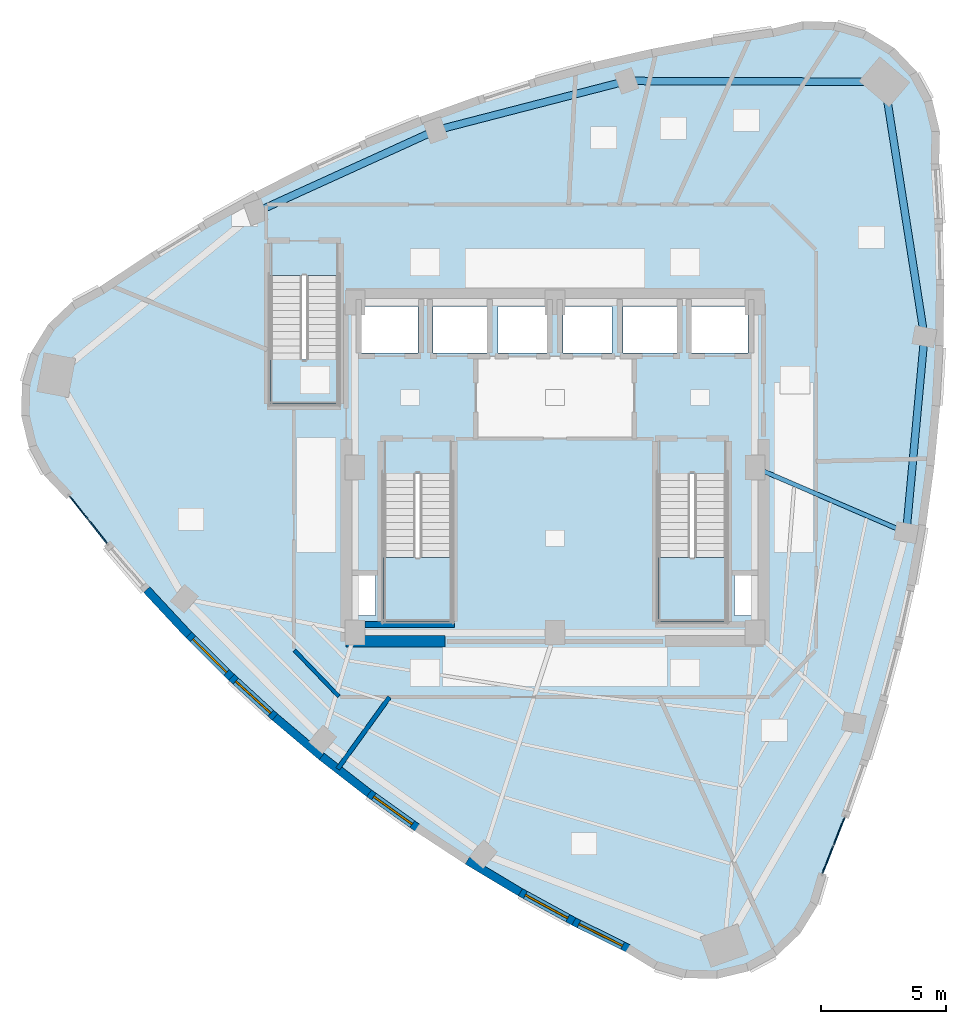
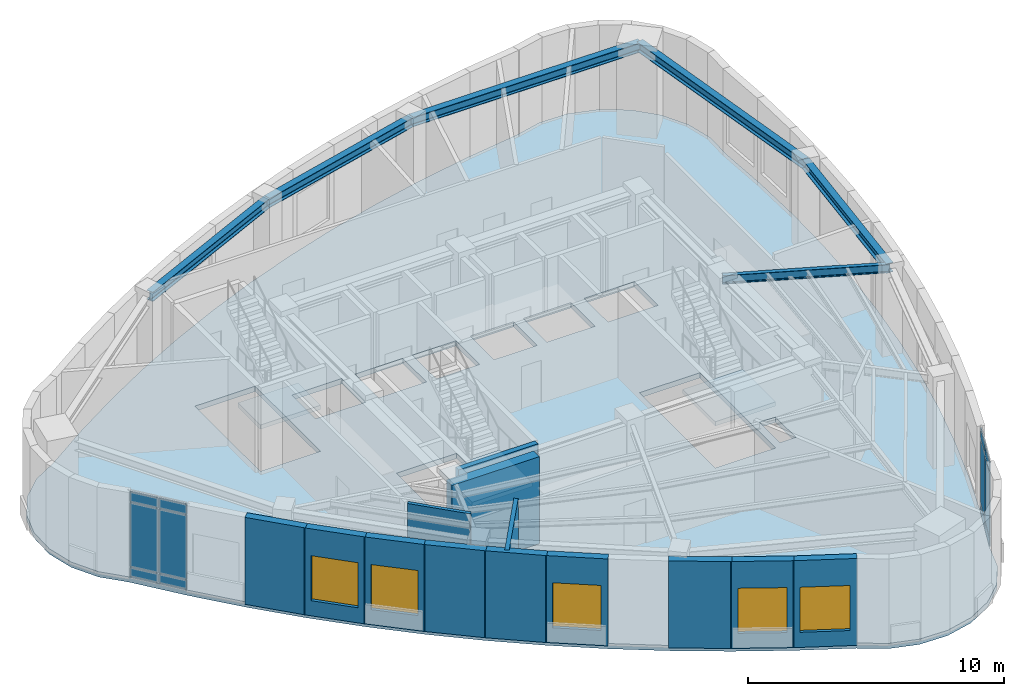
# One storey, part 7 of 13: 13 walls, 12 plates, 6 beams, 5 windows, 4 slabs, 5 openings, 5 elements without a shape of their own.
"""IFC4 building model written with IfcOpenShell, lengths in metres."""

from ifc_helpers import new_model, si_unit, direction, frame, frame_2d, origin, origin_2d, place, context, subcontext, project, spatial, polyline, rectangle, i_section, outline, extrude, material, layer, layer_set, material_profile, profile_set, type_object, element, fill, aggregate, save


model = new_model("IFC4")

# Units and contexts
model_context = context("Model", 3, precision=1e-05, world=origin(), true_north=direction((0.0, 1.0)))
body_context = subcontext(model_context, "Body", "Model", "MODEL_VIEW")
ifc_project = project(units=[si_unit("LENGTHUNIT", "METRE"), si_unit("AREAUNIT", "SQUARE_METRE"), si_unit("VOLUMEUNIT", "CUBIC_METRE"), si_unit("PLANEANGLEUNIT", "RADIAN"), si_unit("MASSUNIT", "GRAM", prefix="KILO")], contexts=[model_context])

# Site, building, storey
site_placement = place(None, origin())
site = spatial("IfcSite", under=ifc_project, at=site_placement, CompositionType="ELEMENT")
building_placement = place(site_placement, origin())
building = spatial("IfcBuilding", under=site, at=building_placement, Name="Ndelora Gate Hotel", CompositionType="ELEMENT")
storey_placement = place(building_placement, frame((0.0, 0.0, 272.800048828125)))
storey = spatial("IfcBuildingStorey", under=building, at=storey_placement, Name="L68", CompositionType="ELEMENT", Elevation=272.800048828125)

# Beams
ifc_material_1 = material(Name="Steel S355", Category="steel")
ifc_material_profile_1 = material_profile(ifc_material_1, i_section(OverallWidth=0.179931640625, OverallDepth=0.39990234375, WebThickness=0.008544921875, FlangeThickness=0.013427734375, FilletRadius=0.02099609375, at=origin_2d()), Name="IPE 400")
ifc_profile_set_1 = profile_set([ifc_material_profile_1], Name="Steel S355")
beam_type_1 = type_object("IfcBeamType", Name="BM-RAD-400", PredefinedType="BEAM", material=ifc_profile_set_1)
beam_1_placement = place(storey_placement, frame((8.0, 0.0, 3.949951171875), z_axis=(0.918526539717, -0.395359324964, 0.0), x_axis=(0.395359324964, 0.918526539717, 0.0)))
element("IfcBeam", 1, at=beam_1_placement, inside=storey, type_object=beam_type_1, Name="L68 Radial Floor Girder 7", PredefinedType="BEAM", context=body_context, shape_type="SweptSolid", body=[
    extrude(i_section(OverallWidth=0.179931640625, OverallDepth=0.39990234375, WebThickness=0.008544921875, FlangeThickness=0.013427734375, FilletRadius=0.02099609375, at=origin_2d()), origin(), (0.0, 0.0, 1.0), 6.58642578125),
])
ifc_material_profile_2 = material_profile(ifc_material_1, i_section(OverallWidth=0.300048828125, OverallDepth=0.449951171875, WebThickness=0.013916015625, FlangeThickness=0.02587890625, FilletRadius=0.027099609375, at=origin_2d()), Name="HEB 450")
ifc_profile_set_2 = profile_set([ifc_material_profile_2], Name="Steel S355")
beam_type_2 = type_object("IfcBeamType", Name="BM-RING-450", PredefinedType="SPANDREL", material=ifc_profile_set_2)
beam_2_placement = place(storey_placement, frame((14.0498046875, -2.60400390625, 3.925048828125), z_axis=(0.092138400608, 0.995746210203, 0.0), x_axis=(-0.995746210203, 0.092138400608, 0.0)))
element("IfcBeam", 2, at=beam_2_placement, inside=storey, type_object=beam_type_2, Name="L68 Perimeter Spandrel Girder 7", PredefinedType="SPANDREL", context=body_context, shape_type="SweptSolid", body=[
    extrude(i_section(OverallWidth=0.300048828125, OverallDepth=0.449951171875, WebThickness=0.013916015625, FlangeThickness=0.02587890625, FilletRadius=0.027099609375, at=origin_2d()), origin(), (0.0, 0.0, 1.0), 7.86962890625),
])
beam_3_placement = place(storey_placement, frame((14.77490234375, 5.232177734375, 3.925048828125), z_axis=(-0.154824264006, 0.987942026272, 0.0), x_axis=(-0.987942026272, -0.154824264006, 0.0)))
element("IfcBeam", 3, at=beam_3_placement, inside=storey, type_object=beam_type_2, Name="L68 Perimeter Spandrel Girder 8", PredefinedType="SPANDREL", context=body_context, shape_type="SweptSolid", body=[
    extrude(i_section(OverallWidth=0.300048828125, OverallDepth=0.449951171875, WebThickness=0.013916015625, FlangeThickness=0.02587890625, FilletRadius=0.027099609375, at=origin_2d()), origin(), (0.0, 0.0, 1.0), 10.32080078125),
])
beam_4_placement = place(storey_placement, frame((13.177001953125, 15.428466796875, 3.925048828125), z_axis=(-0.999994967187, 0.003172632958, 0.0), x_axis=(-0.003172632958, -0.999994967187, 0.0)))
element("IfcBeam", 4, at=beam_4_placement, inside=storey, type_object=beam_type_2, Name="L68 Perimeter Spandrel Girder 9", PredefinedType="SPANDREL", context=body_context, shape_type="SweptSolid", body=[
    extrude(i_section(OverallWidth=0.300048828125, OverallDepth=0.449951171875, WebThickness=0.013916015625, FlangeThickness=0.02587890625, FilletRadius=0.027099609375, at=origin_2d()), origin(), (0.0, 0.0, 1.0), 10.3115234375),
])
for number, where, z_axis, x_axis, name in (
    (5, (2.865478515625, 15.461181640625, 3.925048828125), (-0.968064499617, -0.250701265615, 0.0), (0.250701265615, -0.968064499617, 0.0), "L68 Perimeter Spandrel Girder 10"),
    (6, (-4.7744140625, 13.482666015625, 3.925048828125), (-0.910089762217, -0.414411178309, 0.0), (0.414411178309, -0.910089762217, 0.0), "L68 Perimeter Spandrel Girder 11"),
):
    element("IfcBeam", number, at=place(storey_placement, frame(where, z_axis=z_axis, x_axis=x_axis)), inside=storey, type_object=beam_type_2, Name=name, PredefinedType="SPANDREL", context=body_context, shape_type="SweptSolid", body=[
        extrude(i_section(OverallWidth=0.300048828125, OverallDepth=0.449951171875, WebThickness=0.013916015625, FlangeThickness=0.02587890625, FilletRadius=0.027099609375, at=origin_2d()), origin(), (0.0, 0.0, 1.0), 7.891845703125),
    ])

# Curtain wall, plates
ifc_material_2 = material(Name="Bronze Anodised Unitised Aluminium and Low-E Glass", Category="aluminium")
ifc_layer_1 = layer(ifc_material_2, 0.219970703125)
ifc_layer_set_1 = layer_set([ifc_layer_1], Name="Bronze Anodised Unitised Aluminium and Low-E Glass")
curtain_wall_type = type_object("IfcCurtainWallType", Name="CW-SYS-6", PredefinedType="NOTDEFINED", material=ifc_layer_set_1)
curtain_wall_1_placement = place(storey_placement, origin())
curtain_wall_1 = element("IfcCurtainWall", 7, at=curtain_wall_1_placement, inside=storey, type_object=curtain_wall_type, Name="L68 Crown Sky-Restaurant & Cocktail Bar Curtain Wall 1", PredefinedType="NOTDEFINED")
ifc_material_3 = material(Name="Solar-Control Low-E Insulated Glazing", Category="glass")
ifc_layer_2 = layer(ifc_material_3, 0.048095703125)
ifc_layer_set_2 = layer_set([ifc_layer_2], Name="Solar-Control Low-E Insulated Glazing")
plate_type = type_object("IfcPlateType", Name="PL-CW-GLZ36", PredefinedType="CURTAIN_PANEL", material=ifc_layer_set_2)
plate_1_placement = place(storey_placement, frame((-19.042236328125, -1.61767578125, 0.058837890625), z_axis=(0.0, 0.0, 1.0), x_axis=(0.621504931243, -0.783410250406, 0.0)))
plate_1 = element("IfcPlate", 8, at=plate_1_placement, type_object=plate_type, Name="CW6 panel 1.1", PredefinedType="CURTAIN_PANEL", context=body_context, shape_type="SweptSolid", body=[
    extrude(rectangle(XDim=1.162841796875, YDim=0.048095703125, at=origin_2d()), origin(), (0.0, 0.0, 1.0), 0.41455078125),
])
plate_2_placement = place(storey_placement, frame((-19.042236328125, -1.61767578125, 0.5263671875), z_axis=(0.0, 0.0, 1.0), x_axis=(0.621504931243, -0.783410250406, 0.0)))
plate_2 = element("IfcPlate", 9, at=plate_2_placement, type_object=plate_type, Name="CW6 panel 1.2", PredefinedType="CURTAIN_PANEL", context=body_context, shape_type="SweptSolid", body=[
    extrude(rectangle(XDim=1.162841796875, YDim=0.048095703125, at=origin_2d()), origin(), (0.0, 0.0, 1.0), 3.047119140625),
])
plate_3_placement = place(storey_placement, frame((-19.042236328125, -1.61767578125, 3.62646484375), z_axis=(0.0, 0.0, 1.0), x_axis=(0.621504931243, -0.783410250406, 0.0)))
plate_3 = element("IfcPlate", 10, at=plate_3_placement, type_object=plate_type, Name="CW6 panel 1.3", PredefinedType="CURTAIN_PANEL", context=body_context, shape_type="SweptSolid", body=[
    extrude(rectangle(XDim=1.162841796875, YDim=0.048095703125, at=origin_2d()), origin(), (0.0, 0.0, 1.0), 0.464599609375),
])
plate_4_placement = place(storey_placement, frame((-18.28662109375, -2.570068359375, 0.058837890625), z_axis=(0.0, 0.0, 1.0), x_axis=(0.621504931243, -0.783410250406, 0.0)))
plate_4 = element("IfcPlate", 11, at=plate_4_placement, type_object=plate_type, Name="CW6 panel 2.1", PredefinedType="CURTAIN_PANEL", context=body_context, shape_type="SweptSolid", body=[
    extrude(rectangle(XDim=1.162841796875, YDim=0.048095703125, at=origin_2d()), origin(), (0.0, 0.0, 1.0), 0.41455078125),
])
plate_5_placement = place(storey_placement, frame((-18.28662109375, -2.570068359375, 0.5263671875), z_axis=(0.0, 0.0, 1.0), x_axis=(0.621504931243, -0.783410250406, 0.0)))
plate_5 = element("IfcPlate", 12, at=plate_5_placement, type_object=plate_type, Name="CW6 panel 2.2", PredefinedType="CURTAIN_PANEL", context=body_context, shape_type="SweptSolid", body=[
    extrude(rectangle(XDim=1.162841796875, YDim=0.048095703125, at=origin_2d()), origin(), (0.0, 0.0, 1.0), 3.047119140625),
])
plate_6_placement = place(storey_placement, frame((-18.28662109375, -2.570068359375, 3.62646484375), z_axis=(0.0, 0.0, 1.0), x_axis=(0.621504931243, -0.783410250406, 0.0)))
plate_6 = element("IfcPlate", 13, at=plate_6_placement, type_object=plate_type, Name="CW6 panel 2.3", PredefinedType="CURTAIN_PANEL", context=body_context, shape_type="SweptSolid", body=[
    extrude(rectangle(XDim=1.162841796875, YDim=0.048095703125, at=origin_2d()), origin(), (0.0, 0.0, 1.0), 0.464599609375),
])
aggregate(curtain_wall_1, [plate_1, plate_2, plate_3, plate_4, plate_5, plate_6])

curtain_wall_2_placement = place(storey_placement, origin())
curtain_wall_2 = element("IfcCurtainWall", 14, at=curtain_wall_2_placement, inside=storey, type_object=curtain_wall_type, Name="L68 Crown Sky-Restaurant & Cocktail Bar Curtain Wall 2", PredefinedType="NOTDEFINED")
plate_7_placement = place(storey_placement, frame((10.922119140625, -15.682373046875, 0.058837890625), z_axis=(0.0, 0.0, 1.0), x_axis=(0.367699973869, 0.929944476416, 0.0)))
plate_7 = element("IfcPlate", 15, at=plate_7_placement, type_object=plate_type, Name="CW6 panel 1.1", PredefinedType="CURTAIN_PANEL", context=body_context, shape_type="SweptSolid", body=[
    extrude(rectangle(XDim=1.162841796875, YDim=0.048095703125, at=origin_2d()), origin(), (0.0, 0.0, 1.0), 0.41455078125),
])
plate_8_placement = place(storey_placement, frame((10.922119140625, -15.682373046875, 0.5263671875), z_axis=(0.0, 0.0, 1.0), x_axis=(0.367699973869, 0.929944476416, 0.0)))
plate_8 = element("IfcPlate", 16, at=plate_8_placement, type_object=plate_type, Name="CW6 panel 1.2", PredefinedType="CURTAIN_PANEL", context=body_context, shape_type="SweptSolid", body=[
    extrude(rectangle(XDim=1.162841796875, YDim=0.048095703125, at=origin_2d()), origin(), (0.0, 0.0, 1.0), 3.047119140625),
])
plate_9_placement = place(storey_placement, frame((10.922119140625, -15.682373046875, 3.62646484375), z_axis=(0.0, 0.0, 1.0), x_axis=(0.367699973869, 0.929944476416, 0.0)))
plate_9 = element("IfcPlate", 17, at=plate_9_placement, type_object=plate_type, Name="CW6 panel 1.3", PredefinedType="CURTAIN_PANEL", context=body_context, shape_type="SweptSolid", body=[
    extrude(rectangle(XDim=1.162841796875, YDim=0.048095703125, at=origin_2d()), origin(), (0.0, 0.0, 1.0), 0.464599609375),
])
plate_10_placement = place(storey_placement, frame((11.369140625, -14.5517578125, 0.058837890625), z_axis=(0.0, 0.0, 1.0), x_axis=(0.367699973869, 0.929944476416, 0.0)))
plate_10 = element("IfcPlate", 18, at=plate_10_placement, type_object=plate_type, Name="CW6 panel 2.1", PredefinedType="CURTAIN_PANEL", context=body_context, shape_type="SweptSolid", body=[
    extrude(rectangle(XDim=1.162841796875, YDim=0.048095703125, at=origin_2d()), origin(), (0.0, 0.0, 1.0), 0.41455078125),
])
plate_11_placement = place(storey_placement, frame((11.369140625, -14.5517578125, 0.5263671875), z_axis=(0.0, 0.0, 1.0), x_axis=(0.367699973869, 0.929944476416, 0.0)))
plate_11 = element("IfcPlate", 19, at=plate_11_placement, type_object=plate_type, Name="CW6 panel 2.2", PredefinedType="CURTAIN_PANEL", context=body_context, shape_type="SweptSolid", body=[
    extrude(rectangle(XDim=1.162841796875, YDim=0.048095703125, at=origin_2d()), origin(), (0.0, 0.0, 1.0), 3.047119140625),
])
plate_12_placement = place(storey_placement, frame((11.369140625, -14.5517578125, 3.62646484375), z_axis=(0.0, 0.0, 1.0), x_axis=(0.367699973869, 0.929944476416, 0.0)))
plate_12 = element("IfcPlate", 20, at=plate_12_placement, type_object=plate_type, Name="CW6 panel 2.3", PredefinedType="CURTAIN_PANEL", context=body_context, shape_type="SweptSolid", body=[
    extrude(rectangle(XDim=1.162841796875, YDim=0.048095703125, at=origin_2d()), origin(), (0.0, 0.0, 1.0), 0.464599609375),
])
aggregate(curtain_wall_2, [plate_7, plate_8, plate_9, plate_10, plate_11, plate_12])

# Stair, slab
ifc_material_4 = material(Name="Precast concrete C40/50", Category="concrete")
stair_type = type_object("IfcStairType", Name="STR-DOG-CORE", PredefinedType="HALF_TURN_STAIR", material=ifc_material_4)
stair_1_placement = place(storey_placement, origin())
stair_1 = element("IfcStair", 21, at=stair_1_placement, inside=storey, type_object=stair_type, Name="L68 Protected Core Exit Stair ST4", PredefinedType="HALF_TURN_STAIR")
ifc_layer_3 = layer(ifc_material_4, 0.219970703125)
ifc_layer_set_3 = layer_set([ifc_layer_3], Name="Precast concrete C40/50")
slab_type_1 = type_object("IfcSlabType", Name="SL-LAND-220", PredefinedType="LANDING", material=ifc_layer_set_3)
slab_1_placement = place(storey_placement, frame((0.0, 0.0, 2.0)))
slab_1 = element("IfcSlab", 22, at=slab_1_placement, type_object=slab_type_1, Name="ST4 landing 1", PredefinedType="LANDING", context=body_context, shape_type="SweptSolid", body=[
    extrude(outline(polyline([(-6.85009765625, -3.590087890625), (-6.85009765625, -6.14990234375), (-4.1298828125, -6.14990234375), (-4.1298828125, -3.590087890625), (-6.85009765625, -3.590087890625)])), origin(), (0.0, 0.0, 1.0), 0.199951171875),
])
aggregate(stair_1, [slab_1])

stair_2_placement = place(storey_placement, origin())
stair_2 = element("IfcStair", 23, at=stair_2_placement, inside=storey, type_object=stair_type, Name="L68 Protected Core Exit Stair ST5", PredefinedType="HALF_TURN_STAIR")
slab_2_placement = place(storey_placement, frame((0.0, 0.0, 2.0)))
slab_2 = element("IfcSlab", 24, at=slab_2_placement, type_object=slab_type_1, Name="ST5 landing 1", PredefinedType="LANDING", context=body_context, shape_type="SweptSolid", body=[
    extrude(outline(polyline([(4.1298828125, -3.590087890625), (4.1298828125, -6.14990234375), (6.85009765625, -6.14990234375), (6.85009765625, -3.590087890625), (4.1298828125, -3.590087890625)])), origin(), (0.0, 0.0, 1.0), 0.199951171875),
])
aggregate(stair_2, [slab_2])

stair_3_placement = place(storey_placement, origin())
stair_3 = element("IfcStair", 25, at=stair_3_placement, inside=storey, type_object=stair_type, Name="L68 Crown Observation Exit Stair ST6", PredefinedType="HALF_TURN_STAIR")
slab_3_placement = place(storey_placement, frame((0.0, 0.0, 2.0)))
slab_3 = element("IfcSlab", 26, at=slab_3_placement, type_object=slab_type_1, Name="ST6 landing 1", PredefinedType="LANDING", context=body_context, shape_type="SweptSolid", body=[
    extrude(outline(polyline([(-11.389892578125, 4.31005859375), (-11.389892578125, 2.550048828125), (-8.669921875, 2.550048828125), (-8.669921875, 4.31005859375), (-11.389892578125, 4.31005859375)])), origin(), (0.0, 0.0, 1.0), 0.199951171875),
])
aggregate(stair_3, [slab_3])

# Slab
ifc_material_5 = material(Name="Concrete C40/50", Category="concrete")
ifc_layer_4 = layer(ifc_material_5, 0.25)
ifc_layer_set_4 = layer_set([ifc_layer_4], Name="Concrete C40/50")
slab_type_2 = type_object("IfcSlabType", Name="SL-TWR-250", PredefinedType="FLOOR", material=ifc_layer_set_4)
slab_4_placement = place(storey_placement, frame((0.0, 0.0, -0.25)))
element("IfcSlab", 27, at=slab_4_placement, inside=storey, type_object=slab_type_2, Name="L68 Structural Floor Slab", PredefinedType="FLOOR", context=body_context, shape_type="SweptSolid", body=[
    extrude(outline(polyline([(-18.12744140625, 7.079833984375), (-19.228515625, 6.48193359375), (-20.137451171875, 5.619384765625), (-20.792236328125, 4.551025390625), (-21.148193359375, 3.349609375), (-21.180908203125, 2.096923828125), (-20.888427734375, 0.87841796875), (-20.29052734375, -0.22265625), (-19.427978515625, -1.131591796875), (-17.901123046875, -3.05615234375), (-16.31298828125, -4.905029296875), (-14.663818359375, -6.678466796875), (-12.953369140625, -8.376220703125), (-11.181884765625, -9.99853515625), (-9.34912109375, -11.545166015625), (-7.455078125, -13.016357421875), (-5.5, -14.411865234375), (-3.483642578125, -15.73193359375), (-1.40625, -16.976318359375), (0.732421875, -18.145263671875), (2.932373046875, -19.23876953125), (4.000732421875, -19.893310546875), (5.2021484375, -20.249267578125), (6.454833984375, -20.281982421875), (7.67333984375, -19.989501953125), (8.7744140625, -19.3916015625), (9.683349609375, -18.529052734375), (10.338134765625, -17.460693359375), (10.694091796875, -16.25927734375), (11.59716796875, -13.974609375), (12.404296875, -11.675048828125), (13.115478515625, -9.360107421875), (13.730712890625, -7.02978515625), (14.25, -4.6845703125), (14.673095703125, -2.323974609375), (15.0, 0.0517578125), (15.231201171875, 2.44287109375), (15.3662109375, 4.84912109375), (15.405029296875, 7.2705078125), (15.347900390625, 9.70703125), (15.195068359375, 12.15869140625), (15.227783203125, 13.41162109375), (14.935302734375, 14.6298828125), (14.33740234375, 15.731201171875), (13.474853515625, 16.639892578125), (12.406494140625, 17.294677734375), (11.205078125, 17.650634765625), (9.952392578125, 17.683349609375), (8.73388671875, 17.390869140625), (6.303955078125, 17.031005859375), (3.90869140625, 16.580078125), (1.548095703125, 16.03857421875), (-0.77734375, 15.406005859375), (-3.068115234375, 14.68310546875), (-5.323974609375, 13.869140625), (-7.544921875, 12.964599609375), (-9.731201171875, 11.968994140625), (-11.88232421875, 10.8828125), (-13.998779296875, 9.7060546875), (-16.08056640625, 8.438232421875), (-18.12744140625, 7.079833984375)]), holes=[polyline([(-6.85009765625, -0.22998046875), (-6.85009765625, -6.14990234375), (-4.1298828125, -6.14990234375), (-4.1298828125, -0.22998046875), (-6.85009765625, -0.22998046875)]), polyline([(4.1298828125, -0.22998046875), (4.1298828125, -6.14990234375), (6.85009765625, -6.14990234375), (6.85009765625, -0.22998046875), (4.1298828125, -0.22998046875)]), polyline([(-11.389892578125, 7.669921875), (-11.389892578125, 2.550048828125), (-8.669921875, 2.550048828125), (-8.669921875, 7.669921875), (-11.389892578125, 7.669921875)]), polyline([(-7.72998046875, 4.570068359375), (-5.469970703125, 4.570068359375), (-5.469970703125, 6.429931640625), (-7.72998046875, 6.429931640625), (-7.72998046875, 4.570068359375)]), polyline([(5.469970703125, 4.570068359375), (7.72998046875, 4.570068359375), (7.72998046875, 6.429931640625), (5.469970703125, 6.429931640625), (5.469970703125, 4.570068359375)]), polyline([(-4.8798828125, 4.570068359375), (-2.719970703125, 4.570068359375), (-2.719970703125, 6.429931640625), (-4.8798828125, 6.429931640625), (-4.8798828125, 4.570068359375)]), polyline([(2.719970703125, 4.570068359375), (4.8798828125, 4.570068359375), (4.8798828125, 6.429931640625), (2.719970703125, 6.429931640625), (2.719970703125, 4.570068359375)]), polyline([(-2.280029296875, 4.570068359375), (-0.320068359375, 4.570068359375), (-0.320068359375, 6.429931640625), (-2.280029296875, 6.429931640625), (-2.280029296875, 4.570068359375)]), polyline([(0.320068359375, 4.570068359375), (2.280029296875, 4.570068359375), (2.280029296875, 6.429931640625), (0.320068359375, 6.429931640625), (0.320068359375, 4.570068359375)]), polyline([(-7.89990234375, -5.919921875), (-7.179931640625, -5.919921875), (-7.179931640625, -4.320068359375), (-7.89990234375, -4.320068359375), (-7.89990234375, -5.919921875)]), polyline([(7.179931640625, -5.919921875), (7.89990234375, -5.919921875), (7.89990234375, -4.320068359375), (7.179931640625, -4.320068359375), (7.179931640625, -5.919921875)])]), origin(), (0.0, 0.0, 1.0), 0.25),
])

# Walls
ifc_material_6 = material(Name="Acoustic Double-Stud Gypsum Assembly", Category="gypsum")
ifc_layer_5 = layer(ifc_material_6, 0.179931640625)
ifc_layer_set_5 = layer_set([ifc_layer_5], Name="Acoustic Double-Stud Gypsum Assembly")
wall_type_1 = type_object("IfcWallType", Name="WL-ACOUST-180", PredefinedType="PARTITIONING", material=ifc_layer_set_5)
wall_1_placement = place(storey_placement, frame((-6.617919921875, -9.179931640625, 0.0), z_axis=(0.0, 0.0, 1.0), x_axis=(-0.584788931395, -0.811185494026, 0.0)))
element("IfcWall", 28, at=wall_1_placement, inside=storey, type_object=wall_type_1, Name="L68 Interior Wall IW-3", PredefinedType="PARTITIONING", context=body_context, shape_type="SweptSolid", body=[
    extrude(rectangle(XDim=3.545654296875, YDim=0.179931640625, at=frame_2d((1.77294921875, 0.0))), origin(), (0.0, 0.0, 1.0), 4.14990234375),
])
ifc_material_7 = material(Name="Clay Brick Masonry", Category="masonry")
ifc_layer_6 = layer(ifc_material_7, 0.330078125)
ifc_layer_set_6 = layer_set([ifc_layer_6], Name="Clay Brick Masonry")
wall_type_2 = type_object("IfcWallType", Name="WL-BRICK-330", PredefinedType="SOLIDWALL", material=ifc_layer_set_6)
wall_2_placement = place(storey_placement, frame((-14.646728515625, -6.69677734375, 0.0), z_axis=(0.0, 0.0, 1.0), x_axis=(-0.681011582837, 0.732272643242, 0.0)))
element("IfcWall", 29, at=wall_2_placement, inside=storey, type_object=wall_type_2, Name="L68 Tower Brick Pier-and-Spandrel Wall TWR-11", PredefinedType="SOLIDWALL", context=body_context, shape_type="SweptSolid", body=[
    extrude(rectangle(XDim=2.471923828125, YDim=0.330078125, at=frame_2d((1.23583984375, 0.0))), origin(), (0.0, 0.0, 1.0), 4.14990234375),
])

# Wall, opening, window
wall_3_placement = place(storey_placement, frame((-12.935791015625, -8.393798828125, 0.0), z_axis=(0.0, 0.0, 1.0), x_axis=(-0.709682736457, 0.704521407464, 0.0)))
wall_3 = element("IfcWall", 30, at=wall_3_placement, inside=storey, type_object=wall_type_2, Name="L68 Tower Brick Pier-and-Spandrel Wall TWR-12", PredefinedType="SOLIDWALL", context=body_context, shape_type="SweptSolid", body=[
    extrude(rectangle(XDim=2.459716796875, YDim=0.330078125, at=frame_2d((1.22998046875, 0.0))), origin(), (0.0, 0.0, 1.0), 4.14990234375),
])
opening_1_placement = place(wall_3_placement, frame((0.280029296875, 0.0, 0.719970703125)))
opening_1 = element("IfcOpeningElement", 31, at=opening_1_placement, cuts=wall_3, Name="Opening W05", PredefinedType="OPENING", context=body_context, shape_type="SweptSolid", body=[
    extrude(rectangle(XDim=1.89990234375, YDim=2.14990234375, at=frame_2d((0.949951171875, 1.074951171875))), frame((0.0, 0.175048828125, 0.0), z_axis=(0.0, -1.0, 0.0), x_axis=(1.0, 0.0, 0.0)), (0.0, 0.0, 1.0), 0.35009765625),
])
ifc_material_8 = material(Name="Insulated Low-E Double Glazing in Bronze Aluminium Frame", Category="aluminium")
window_type = type_object("IfcWindowType", Name="WN-SKY-2000", PartitioningType="SINGLE_PANEL", PredefinedType="WINDOW", material=ifc_material_8)
window_1_placement = place(opening_1_placement, origin())
window_1 = element("IfcWindow", 32, at=window_1_placement, inside=storey, type_object=window_type, Name="L68 Deep-Set Brick-Pier Window W05", OverallHeight=2.14990234375, OverallWidth=1.89990234375, PartitioningType="SINGLE_PANEL", PredefinedType="WINDOW", context=body_context, shape_type="SweptSolid", body=[
    extrude(rectangle(XDim=1.89990234375, YDim=2.14990234375, at=frame_2d((0.949951171875, 1.074951171875))), frame((0.0, 0.030029296875, 0.0), z_axis=(0.0, -1.0, 0.0), x_axis=(1.0, 0.0, 0.0)), (0.0, 0.0, 1.0), 0.06005859375),
])
fill(opening_1, window_1)

wall_4_placement = place(storey_placement, frame((-11.16357421875, -10.015380859375, 0.0), z_axis=(0.0, 0.0, 1.0), x_axis=(-0.73744340021, 0.675408936487, 0.0)))
wall_4 = element("IfcWall", 33, at=wall_4_placement, inside=storey, type_object=wall_type_2, Name="L68 Tower Brick Pier-and-Spandrel Wall TWR-13", PredefinedType="SOLIDWALL", context=body_context, shape_type="SweptSolid", body=[
    extrude(rectangle(XDim=2.451904296875, YDim=0.330078125, at=frame_2d((1.22607421875, 0.0))), origin(), (0.0, 0.0, 1.0), 4.14990234375),
])
opening_2_placement = place(wall_4_placement, frame((0.281005859375, 0.0, 0.719970703125)))
opening_2 = element("IfcOpeningElement", 34, at=opening_2_placement, cuts=wall_4, Name="Opening W05", PredefinedType="OPENING", context=body_context, shape_type="SweptSolid", body=[
    extrude(rectangle(XDim=1.889892578125, YDim=2.14990234375, at=frame_2d((0.94482421875, 1.074951171875))), frame((0.0, 0.175048828125, 0.0), z_axis=(0.0, -1.0, 0.0), x_axis=(1.0, 0.0, 0.0)), (0.0, 0.0, 1.0), 0.35009765625),
])
window_2_placement = place(opening_2_placement, origin())
window_2 = element("IfcWindow", 35, at=window_2_placement, inside=storey, type_object=window_type, Name="L68 Deep-Set Brick-Pier Window W05", OverallHeight=2.14990234375, OverallWidth=1.889892578125, PartitioningType="SINGLE_PANEL", PredefinedType="WINDOW", context=body_context, shape_type="SweptSolid", body=[
    extrude(rectangle(XDim=1.889892578125, YDim=2.14990234375, at=frame_2d((0.94482421875, 1.074951171875))), frame((0.0, 0.030029296875, 0.0), z_axis=(0.0, -1.0, 0.0), x_axis=(1.0, 0.0, 0.0)), (0.0, 0.0, 1.0), 0.06005859375),
])
fill(opening_2, window_2)

# Walls
wall_5_placement = place(storey_placement, frame((-9.330078125, -11.561279296875, 0.0), z_axis=(0.0, 0.0, 1.0), x_axis=(-0.764225429478, 0.644949217334, 0.0)))
element("IfcWall", 36, at=wall_5_placement, inside=storey, type_object=wall_type_2, Name="L68 Tower Brick Pier-and-Spandrel Wall TWR-14", PredefinedType="SOLIDWALL", context=body_context, shape_type="SweptSolid", body=[
    extrude(rectangle(XDim=2.447998046875, YDim=0.330078125, at=frame_2d((1.22412109375, 0.0))), origin(), (0.0, 0.0, 1.0), 4.14990234375),
])
wall_6_placement = place(storey_placement, frame((-7.435302734375, -13.031494140625, 0.0), z_axis=(0.0, 0.0, 1.0), x_axis=(-0.789786954421, 0.613381257152, 0.0)))
element("IfcWall", 37, at=wall_6_placement, inside=storey, type_object=wall_type_2, Name="L68 Tower Brick Pier-and-Spandrel Wall TWR-15", PredefinedType="SOLIDWALL", context=body_context, shape_type="SweptSolid", body=[
    extrude(rectangle(XDim=2.4482421875, YDim=0.330078125, at=frame_2d((1.22412109375, 0.0))), origin(), (0.0, 0.0, 1.0), 4.14990234375),
])

# Wall, opening, window
wall_7_placement = place(storey_placement, frame((-5.479736328125, -14.426513671875, 0.0), z_axis=(0.0, 0.0, 1.0), x_axis=(-0.813854547638, 0.581068649378, 0.0)))
wall_7 = element("IfcWall", 38, at=wall_7_placement, inside=storey, type_object=wall_type_2, Name="L68 Tower Brick Pier-and-Spandrel Wall TWR-16", PredefinedType="SOLIDWALL", context=body_context, shape_type="SweptSolid", body=[
    extrude(rectangle(XDim=2.4521484375, YDim=0.330078125, at=frame_2d((1.22607421875, 0.0))), origin(), (0.0, 0.0, 1.0), 4.14990234375),
])
opening_3_placement = place(wall_7_placement, frame((0.281005859375, 0.0, 0.719970703125)))
opening_3 = element("IfcOpeningElement", 39, at=opening_3_placement, cuts=wall_7, Name="Opening W05", PredefinedType="OPENING", context=body_context, shape_type="SweptSolid", body=[
    extrude(rectangle(XDim=1.889892578125, YDim=2.14990234375, at=frame_2d((0.94482421875, 1.074951171875))), frame((0.0, 0.175048828125, 0.0), z_axis=(0.0, -1.0, 0.0), x_axis=(1.0, 0.0, 0.0)), (0.0, 0.0, 1.0), 0.35009765625),
])
window_3_placement = place(opening_3_placement, origin())
window_3 = element("IfcWindow", 40, at=window_3_placement, inside=storey, type_object=window_type, Name="L68 Deep-Set Brick-Pier Window W05", OverallHeight=2.14990234375, OverallWidth=1.889892578125, PartitioningType="SINGLE_PANEL", PredefinedType="WINDOW", context=body_context, shape_type="SweptSolid", body=[
    extrude(rectangle(XDim=1.889892578125, YDim=2.14990234375, at=frame_2d((0.94482421875, 1.074951171875))), frame((0.0, 0.030029296875, 0.0), z_axis=(0.0, -1.0, 0.0), x_axis=(1.0, 0.0, 0.0)), (0.0, 0.0, 1.0), 0.06005859375),
])
fill(opening_3, window_3)

# Wall
wall_8_placement = place(storey_placement, frame((-1.384765625, -16.9892578125, 0.0), z_axis=(0.0, 0.0, 1.0), x_axis=(-0.857841338579, 0.513914621143, 0.0)))
element("IfcWall", 41, at=wall_8_placement, inside=storey, type_object=wall_type_2, Name="L68 Tower Brick Pier-and-Spandrel Wall TWR-18", PredefinedType="SOLIDWALL", context=body_context, shape_type="SweptSolid", body=[
    extrude(rectangle(XDim=2.4716796875, YDim=0.330078125, at=frame_2d((1.23583984375, 0.0))), origin(), (0.0, 0.0, 1.0), 4.14990234375),
])

# Wall, opening, window
wall_9_placement = place(storey_placement, frame((0.75439453125, -18.1572265625, 0.0), z_axis=(0.0, 0.0, 1.0), x_axis=(-0.877475074231, 0.479622241044, 0.0)))
wall_9 = element("IfcWall", 42, at=wall_9_placement, inside=storey, type_object=wall_type_2, Name="L68 Tower Brick Pier-and-Spandrel Wall TWR-19", PredefinedType="SOLIDWALL", context=body_context, shape_type="SweptSolid", body=[
    extrude(rectangle(XDim=2.487060546875, YDim=0.330078125, at=frame_2d((1.24365234375, 0.0))), origin(), (0.0, 0.0, 1.0), 4.14990234375),
])
opening_4_placement = place(wall_9_placement, frame((0.278564453125, 0.0, 0.719970703125)))
opening_4 = element("IfcOpeningElement", 43, at=opening_4_placement, cuts=wall_9, Name="Opening W05", PredefinedType="OPENING", context=body_context, shape_type="SweptSolid", body=[
    extrude(rectangle(XDim=1.929931640625, YDim=2.14990234375, at=frame_2d((0.96484375, 1.074951171875))), frame((0.0, 0.175048828125, 0.0), z_axis=(0.0, -1.0, 0.0), x_axis=(1.0, 0.0, 0.0)), (0.0, 0.0, 1.0), 0.35009765625),
])
window_4_placement = place(opening_4_placement, origin())
window_4 = element("IfcWindow", 44, at=window_4_placement, inside=storey, type_object=window_type, Name="L68 Deep-Set Brick-Pier Window W05", OverallHeight=2.14990234375, OverallWidth=1.929931640625, PartitioningType="SINGLE_PANEL", PredefinedType="WINDOW", context=body_context, shape_type="SweptSolid", body=[
    extrude(rectangle(XDim=1.929931640625, YDim=2.14990234375, at=frame_2d((0.96484375, 1.074951171875))), frame((0.0, 0.030029296875, 0.0), z_axis=(0.0, -1.0, 0.0), x_axis=(1.0, 0.0, 0.0)), (0.0, 0.0, 1.0), 0.06005859375),
])
fill(opening_4, window_4)

wall_10_placement = place(storey_placement, frame((2.954833984375, -19.249755859375, 0.0), z_axis=(0.0, 0.0, 1.0), x_axis=(-0.895515434076, 0.445030456634, 0.0)))
wall_10 = element("IfcWall", 45, at=wall_10_placement, inside=storey, type_object=wall_type_2, Name="L68 Tower Brick Pier-and-Spandrel Wall TWR-20", PredefinedType="SOLIDWALL", context=body_context, shape_type="SweptSolid", body=[
    extrude(rectangle(XDim=2.506591796875, YDim=0.330078125, at=frame_2d((1.25341796875, 0.0))), origin(), (0.0, 0.0, 1.0), 4.14990234375),
])
opening_5_placement = place(wall_10_placement, frame((0.2783203125, 0.0, 0.719970703125)))
opening_5 = element("IfcOpeningElement", 46, at=opening_5_placement, cuts=wall_10, Name="Opening W05", PredefinedType="OPENING", context=body_context, shape_type="SweptSolid", body=[
    extrude(rectangle(XDim=1.949951171875, YDim=2.14990234375, at=frame_2d((0.97509765625, 1.074951171875))), frame((0.0, 0.175048828125, 0.0), z_axis=(0.0, -1.0, 0.0), x_axis=(1.0, 0.0, 0.0)), (0.0, 0.0, 1.0), 0.35009765625),
])
window_5_placement = place(opening_5_placement, origin())
window_5 = element("IfcWindow", 47, at=window_5_placement, inside=storey, type_object=window_type, Name="L68 Deep-Set Brick-Pier Window W05", OverallHeight=2.14990234375, OverallWidth=1.949951171875, PartitioningType="SINGLE_PANEL", PredefinedType="WINDOW", context=body_context, shape_type="SweptSolid", body=[
    extrude(rectangle(XDim=1.949951171875, YDim=2.14990234375, at=frame_2d((0.97509765625, 1.074951171875))), frame((0.0, 0.030029296875, 0.0), z_axis=(0.0, -1.0, 0.0), x_axis=(1.0, 0.0, 0.0)), (0.0, 0.0, 1.0), 0.06005859375),
])
fill(opening_5, window_5)

# Walls
ifc_material_9 = material(Name="Concrete C50/60", Category="concrete")
ifc_layer_7 = layer(ifc_material_9, 0.449951171875)
ifc_layer_set_7 = layer_set([ifc_layer_7], Name="Concrete C50/60")
wall_type_3 = type_object("IfcWallType", Name="WL-CORE-450", PredefinedType="SHEAR", material=ifc_layer_set_7)
wall_11_placement = place(storey_placement, frame((-8.35009765625, -6.949951171875, 0.0), z_axis=(0.0, 0.0, 1.0), x_axis=(1.0, 0.0, 0.0)))
element("IfcWall", 48, at=wall_11_placement, inside=storey, type_object=wall_type_3, Name="L68 Core Shear Wall S-W", PredefinedType="SHEAR", context=body_context, shape_type="SweptSolid", body=[
    extrude(rectangle(XDim=3.9501953125, YDim=0.449951171875, at=frame_2d((1.97509765625, 0.0))), origin(), (0.0, 0.0, 1.0), 4.14990234375),
])
ifc_material_10 = material(Name="Fire-Rated Gypsum Stud Partition", Category="gypsum")
ifc_layer_8 = layer(ifc_material_10, 0.14990234375)
ifc_layer_set_8 = layer_set([ifc_layer_8], Name="Fire-Rated Gypsum Stud Partition")
wall_type_4 = type_object("IfcWallType", Name="WL-PART-150", PredefinedType="PARTITIONING", material=ifc_layer_set_8)
wall_12_placement = place(storey_placement, frame((-8.647705078125, -9.151123046875, 0.0), z_axis=(0.0, 0.0, 1.0), x_axis=(-0.693764562202, 0.720201869085, 0.0)))
element("IfcWall", 49, at=wall_12_placement, inside=storey, type_object=wall_type_4, Name="L68 Interior Wall IW-5", PredefinedType="PARTITIONING", context=body_context, shape_type="SweptSolid", body=[
    extrude(rectangle(XDim=2.55810546875, YDim=0.14990234375, at=frame_2d((1.279052734375, 0.0))), origin(), (0.0, 0.0, 1.0), 4.14990234375),
])
ifc_layer_9 = layer(ifc_material_9, 0.239990234375)
ifc_layer_set_9 = layer_set([ifc_layer_9], Name="Concrete C50/60")
wall_type_5 = type_object("IfcWallType", Name="WL-STAIR-240", PredefinedType="SHEAR", material=ifc_layer_set_9)
wall_13_placement = place(storey_placement, frame((-7.60009765625, -6.27001953125, 0.0), z_axis=(0.0, 0.0, 1.0), x_axis=(1.0, 0.0, 0.0)))
element("IfcWall", 50, at=wall_13_placement, inside=storey, type_object=wall_type_5, Name="L68 Stair Core Shear Wall SW-ST", PredefinedType="SHEAR", context=body_context, shape_type="SweptSolid", body=[
    extrude(rectangle(XDim=3.590087890625, YDim=0.239990234375, at=frame_2d((1.794921875, 0.0))), origin(), (0.0, 0.0, 1.0), 4.14990234375),
])

save(model, "model.ifc")
